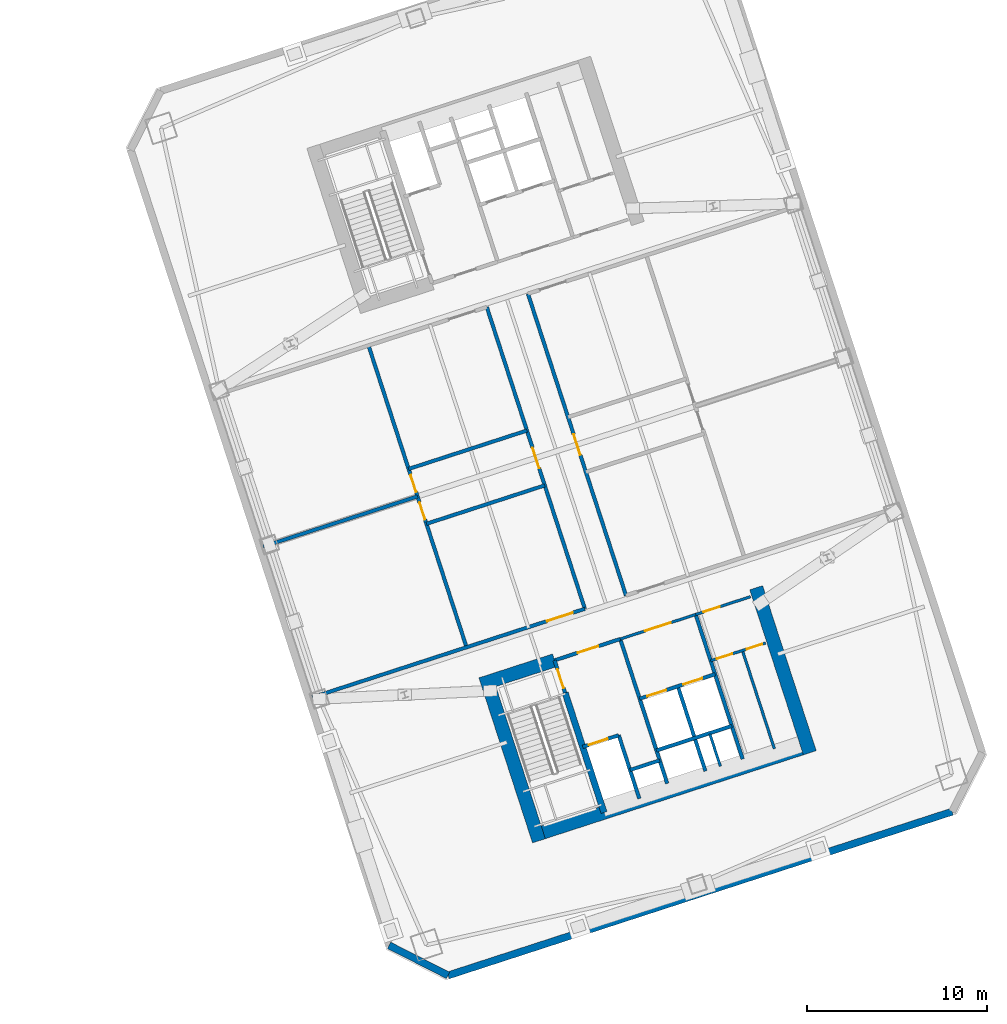
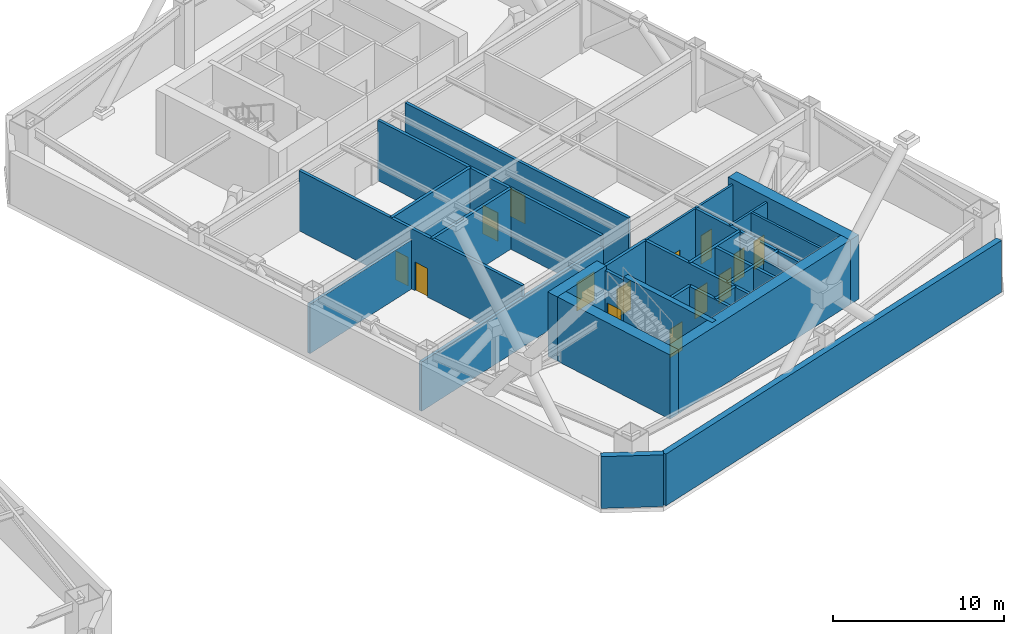
# One storey, part 15 of 19: 29 walls, 14 doors, 14 openings.
"""IFC4 building model written with IfcOpenShell, lengths in metres."""

from ifc_helpers import new_model, si_unit, direction, frame, frame_2d, origin, place, context, subcontext, project, spatial, rectangle, extrude, material, layer, layer_set, type_object, element, fill, save


model = new_model("IFC4")

# Units and contexts
model_context = context("Model", 3, precision=1e-05, world=origin(), true_north=direction((0.0, 1.0)))
body_context = subcontext(model_context, "Body", "Model", "MODEL_VIEW")
ifc_project = project(units=[si_unit("LENGTHUNIT", "METRE"), si_unit("AREAUNIT", "SQUARE_METRE"), si_unit("VOLUMEUNIT", "CUBIC_METRE"), si_unit("PLANEANGLEUNIT", "RADIAN"), si_unit("MASSUNIT", "GRAM", prefix="KILO")], contexts=[model_context])

# Site, building, storey
site_placement = place(None, origin())
site = spatial("IfcSite", under=ifc_project, at=site_placement, CompositionType="ELEMENT")
building_placement = place(site_placement, origin())
building = spatial("IfcBuilding", under=site, at=building_placement, Name="Qiaolan Cultural Towers", CompositionType="ELEMENT")
storey_placement = place(building_placement, frame((0.0, 0.0, 92.0)))
storey = spatial("IfcBuildingStorey", under=building, at=storey_placement, Name="L23", CompositionType="ELEMENT", Elevation=92.0)

# Walls
ifc_material_1 = material(Name="Concrete C50", Category="concrete")
ifc_layer_1 = layer(ifc_material_1, 0.35009765625)
ifc_layer_set_1 = layer_set([ifc_layer_1], Name="Concrete C50")
wall_type_1 = type_object("IfcWallType", Name="WL-CORE-350", PredefinedType="SHEAR", material=ifc_layer_set_1)
wall_1_placement = place(storey_placement, frame((90.486328125, 20.59423828125, 0.0), z_axis=(0.0, 0.0, 1.0), x_axis=(0.309020428229, -0.951055400562, 0.0)))
element("IfcWall", 1, at=wall_1_placement, inside=storey, type_object=wall_type_1, Name="L23 T2-CS Stair Core Dividing Web", PredefinedType="SHEAR", context=body_context, shape_type="SweptSolid", body=[
    extrude(rectangle(XDim=6.97998046875, YDim=0.35009765625, at=frame_2d((3.489990234375, 0.0))), origin(), (0.0, 0.0, 1.0), 4.60009765625),
])
ifc_material_2 = material(Name="Concrete C60", Category="concrete")
ifc_layer_2 = layer(ifc_material_2, 0.75)
ifc_layer_set_2 = layer_set([ifc_layer_2], Name="Concrete C60")
wall_type_2 = type_object("IfcWallType", Name="WL-CORE-750", PredefinedType="SHEAR", material=ifc_layer_set_2)
wall_2_placement = place(storey_placement, frame((88.55859375, 12.628662109375, 0.0), z_axis=(0.0, 0.0, 1.0), x_axis=(0.951056072937, 0.309018358888, 0.0)))
element("IfcWall", 2, at=wall_2_placement, inside=storey, type_object=wall_type_2, Name="L23 T2-CS Outer Core Shear Wall", PredefinedType="SHEAR", context=body_context, shape_type="SweptSolid", body=[
    extrude(rectangle(XDim=16.550048828125, YDim=0.75, at=frame_2d((8.27490234375, 0.0))), origin(), (0.0, 0.0, 1.0), 4.60009765625),
])
wall_3_placement = place(storey_placement, frame((86.05517578125, 21.54638671875, 0.0), z_axis=(0.0, 0.0, 1.0), x_axis=(0.309023585745, -0.951054374604, 0.0)))
element("IfcWall", 3, at=wall_3_placement, inside=storey, type_object=wall_type_2, Name="L23 T2-CS West Core Shear Wall", PredefinedType="SHEAR", context=body_context, shape_type="SweptSolid", body=[
    extrude(rectangle(XDim=9.6298828125, YDim=0.75, at=frame_2d((4.81494140625, 0.0))), origin(), (0.0, 0.0, 1.0), 4.60009765625),
])
wall_4_placement = place(storey_placement, frame((101.08203125, 26.428955078125, 0.0), z_axis=(0.0, 0.0, 1.0), x_axis=(0.309016134813, -0.951056795583, 0.0)))
element("IfcWall", 4, at=wall_4_placement, inside=storey, type_object=wall_type_2, Name="L23 T2-CS East Core Shear Wall", PredefinedType="SHEAR", context=body_context, shape_type="SweptSolid", body=[
    extrude(rectangle(XDim=9.630126953125, YDim=0.75, at=frame_2d((4.81494140625, 0.0))), origin(), (0.0, 0.0, 1.0), 4.60009765625),
])
wall_5_placement = place(storey_placement, frame((85.814453125, 21.073974609375, 0.0), z_axis=(0.0, 0.0, 1.0), x_axis=(0.95106580992, 0.308988390074, 0.0)))
element("IfcWall", 5, at=wall_5_placement, inside=storey, type_object=wall_type_2, Name="L23 T2-CS Stair Front Shear Wall", PredefinedType="SHEAR", context=body_context, shape_type="SweptSolid", body=[
    extrude(rectangle(XDim=4.295166015625, YDim=0.75, at=frame_2d((2.1474609375, 0.0))), origin(), (0.0, 0.0, 1.0), 4.60009765625),
])
ifc_material_3 = material(Name="Precast Concrete C50 Honed Stone Pier", Category="masonry")
ifc_layer_3 = layer(ifc_material_3, 0.39990234375)
ifc_layer_set_3 = layer_set([ifc_layer_3], Name="Precast Concrete C50 Honed Stone Pier")
wall_type_3 = type_object("IfcWallType", Name="WL-EXT-PIER-400", PredefinedType="SOLIDWALL", material=ifc_layer_set_3)
wall_6_placement = place(storey_placement, frame((111.953125, 14.00537109375, 0.0), z_axis=(0.0, 0.0, 1.0), x_axis=(-0.95105505922, -0.309021478754, 0.0)))
element("IfcWall", 6, at=wall_6_placement, inside=storey, type_object=wall_type_3, Name="L23 East Tower Precast Pier Facade Wall F7", PredefinedType="SOLIDWALL", context=body_context, shape_type="SweptSolid", body=[
    extrude(rectangle(XDim=29.39990234375, YDim=0.39990234375, at=frame_2d((14.699951171875, 0.0))), origin(), (0.0, 0.0, 1.0), 3.699951171875),
])
wall_7_placement = place(storey_placement, frame((83.9921875, 4.920166015625, 0.0), z_axis=(0.0, 0.0, 1.0), x_axis=(-0.891001999643, 0.45399937955, 0.0)))
element("IfcWall", 7, at=wall_7_placement, inside=storey, type_object=wall_type_3, Name="L23 East Tower Precast Pier Facade Wall F8", PredefinedType="SOLIDWALL", context=body_context, shape_type="SweptSolid", body=[
    extrude(rectangle(XDim=3.67724609375, YDim=0.39990234375, at=frame_2d((1.838623046875, 0.0))), origin(), (0.0, 0.0, 1.0), 3.699951171875),
])

# Wall, opening, door
ifc_material_4 = material(Name="Concrete C35 Fire Wall", Category="concrete")
ifc_layer_4 = layer(ifc_material_4, 0.199951171875)
ifc_layer_set_4 = layer_set([ifc_layer_4], Name="Concrete C35 Fire Wall")
wall_type_4 = type_object("IfcWallType", Name="WL-FIRE-200", PredefinedType="PARTITIONING", material=ifc_layer_set_4)
wall_8_placement = place(storey_placement, frame((89.8994140625, 22.401123046875, 0.0), z_axis=(0.0, 0.0, 1.0), x_axis=(0.308932062672, -0.951084108086, 0.0)))
wall_8 = element("IfcWall", 8, at=wall_8_placement, inside=storey, type_object=wall_type_4, Name="L23 T2-CS Smokeproof Stair Entry Wall", PredefinedType="PARTITIONING", context=body_context, shape_type="SweptSolid", body=[
    extrude(rectangle(XDim=1.89990234375, YDim=0.199951171875, at=frame_2d((0.949951171875, 0.0))), origin(), (0.0, 0.0, 1.0), 4.304931640625),
])
opening_1_placement = place(wall_8_placement, frame((0.52001953125, 0.0, 0.0)))
opening_1 = element("IfcOpeningElement", 9, at=opening_1_placement, cuts=wall_8, Name="Opening FD-04", PredefinedType="OPENING", context=body_context, shape_type="SweptSolid", body=[
    extrude(rectangle(XDim=1.10009765625, YDim=2.050048828125, at=frame_2d((0.550048828125, 1.02490234375))), frame((0.0, 0.10986328125, 0.0), z_axis=(0.0, -1.0, 0.0), x_axis=(1.0, 0.0, 0.0)), (0.0, 0.0, 1.0), 0.219970703125),
])
ifc_material_5 = material(Name="Galvanized Steel Command Fire Door", Category="steel")
door_type_1 = type_object("IfcDoorType", Name="DR-FD90-1100", OperationType="NOTDEFINED", PredefinedType="DOOR", material=ifc_material_5)
door_1_placement = place(opening_1_placement, origin())
door_1 = element("IfcDoor", 10, at=door_1_placement, inside=storey, type_object=door_type_1, Name="L23 ST-E1 Smokeproof Stair Fire Door", OperationType="SINGLE_SWING_LEFT", OverallHeight=2.050048828125, OverallWidth=1.10009765625, PredefinedType="DOOR", context=body_context, shape_type="SweptSolid", body=[
    extrude(rectangle(XDim=1.10009765625, YDim=2.050048828125, at=frame_2d((0.550048828125, 1.02490234375))), frame((0.0, 0.02490234375, 0.0), z_axis=(0.0, -1.0, 0.0), x_axis=(1.0, 0.0, 0.0)), (0.0, 0.0, 1.0), 0.050048828125),
])
fill(opening_1, door_1)

# Wall
wall_9_placement = place(storey_placement, frame((93.541748046875, 23.584716796875, 0.0), z_axis=(0.0, 0.0, 1.0), x_axis=(0.309042196757, -0.951048327176, 0.0)))
element("IfcWall", 11, at=wall_9_placement, inside=storey, type_object=wall_type_4, Name="L23 T2-CS Firefighting Zone Wall", PredefinedType="PARTITIONING", context=body_context, shape_type="SweptSolid", body=[
    extrude(rectangle(XDim=8.429931640625, YDim=0.199951171875, at=frame_2d((4.21484375, 0.0))), origin(), (0.0, 0.0, 1.0), 4.304931640625),
])

# Wall, opening, door
wall_10_placement = place(storey_placement, frame((89.8994140625, 22.401123046875, 0.0), z_axis=(0.0, 0.0, 1.0), x_axis=(0.951046716504, 0.309047153403, 0.0)))
wall_10 = element("IfcWall", 12, at=wall_10_placement, inside=storey, type_object=wall_type_4, Name="L23 T2-CS Firefighting Lobby Front Wall", PredefinedType="PARTITIONING", context=body_context, shape_type="SweptSolid", body=[
    extrude(rectangle(XDim=3.829833984375, YDim=0.199951171875, at=frame_2d((1.9150390625, 0.0))), origin(), (0.0, 0.0, 1.0), 4.304931640625),
])
opening_2_placement = place(wall_10_placement, frame((1.35009765625, 0.0, 0.0)))
opening_2 = element("IfcOpeningElement", 13, at=opening_2_placement, cuts=wall_10, Name="Opening FD-03", PredefinedType="OPENING", context=body_context, shape_type="SweptSolid", body=[
    extrude(rectangle(XDim=1.199951171875, YDim=2.050048828125, at=frame_2d((0.60009765625, 1.02490234375))), frame((0.0, 0.10986328125, 0.0), z_axis=(0.0, -1.0, 0.0), x_axis=(1.0, 0.0, 0.0)), (0.0, 0.0, 1.0), 0.219970703125),
])
ifc_material_6 = material(Name="Galvanized Steel Smokeproof Lobby Fire Door", Category="steel")
door_type_2 = type_object("IfcDoorType", Name="DR-FD90-1200", OperationType="NOTDEFINED", PredefinedType="DOOR", material=ifc_material_6)
door_2_placement = place(opening_2_placement, origin())
door_2 = element("IfcDoor", 14, at=door_2_placement, inside=storey, type_object=door_type_2, Name="L23 FFL-E1 Firefighting Lobby Fire Door", OperationType="SINGLE_SWING_LEFT", OverallHeight=2.050048828125, OverallWidth=1.199951171875, PredefinedType="DOOR", context=body_context, shape_type="SweptSolid", body=[
    extrude(rectangle(XDim=1.199951171875, YDim=2.050048828125, at=frame_2d((0.60009765625, 1.02490234375))), frame((0.0, 0.02490234375, 0.0), z_axis=(0.0, -1.0, 0.0), x_axis=(1.0, 0.0, 0.0)), (0.0, 0.0, 1.0), 0.050048828125),
])
fill(opening_2, door_2)

wall_11_placement = place(storey_placement, frame((91.459716796875, 17.598388671875, 0.0), z_axis=(0.0, 0.0, 1.0), x_axis=(0.951062257173, 0.308999325213, 0.0)))
wall_11 = element("IfcWall", 15, at=wall_11_placement, inside=storey, type_object=wall_type_4, Name="L23 T2-CS Firefighting Shaft Front Wall", PredefinedType="PARTITIONING", context=body_context, shape_type="SweptSolid", body=[
    extrude(rectangle(XDim=2.10009765625, YDim=0.199951171875, at=frame_2d((1.050048828125, 0.0))), origin(), (0.0, 0.0, 1.0), 4.304931640625),
])
opening_3_placement = place(wall_11_placement, frame((0.35009765625, 0.0, 0.0)))
opening_3 = element("IfcOpeningElement", 16, at=opening_3_placement, cuts=wall_11, Name="Opening LD-01", PredefinedType="OPENING", context=body_context, shape_type="SweptSolid", body=[
    extrude(rectangle(XDim=1.10009765625, YDim=2.050048828125, at=frame_2d((0.550048828125, 1.02490234375))), frame((0.0, 0.10986328125, 0.0), z_axis=(0.0, -1.0, 0.0), x_axis=(1.0, 0.0, 0.0)), (0.0, 0.0, 1.0), 0.219970703125),
])
ifc_material_7 = material(Name="Brushed Stainless Steel S30408 Centre-Parting Lift Landing Door", Category="steel")
door_type_3 = type_object("IfcDoorType", Name="DR-LIFT-1100", OperationType="NOTDEFINED", PredefinedType="DOOR", material=ifc_material_7)
door_3_placement = place(opening_3_placement, origin())
door_3 = element("IfcDoor", 17, at=door_3_placement, inside=storey, type_object=door_type_3, Name="L23 FFL-E1 Firefighting Lift Landing Door", OperationType="DOUBLE_DOOR_SLIDING", OverallHeight=2.050048828125, OverallWidth=1.10009765625, PredefinedType="DOOR", context=body_context, shape_type="SweptSolid", body=[
    extrude(rectangle(XDim=1.10009765625, YDim=2.050048828125, at=frame_2d((0.550048828125, 1.02490234375))), frame((0.0, 0.02490234375, 0.0), z_axis=(0.0, -1.0, 0.0), x_axis=(1.0, 0.0, 0.0)), (0.0, 0.0, 1.0), 0.050048828125),
])
fill(opening_3, door_3)

# Walls
wall_12_placement = place(storey_placement, frame((93.45703125, 18.247314453125, 0.0), z_axis=(0.0, 0.0, 1.0), x_axis=(0.3089935693, -0.951064127245, 0.0)))
element("IfcWall", 18, at=wall_12_placement, inside=storey, type_object=wall_type_4, Name="L23 T2-CS Firefighting Hoistway East Wall", PredefinedType="PARTITIONING", context=body_context, shape_type="SweptSolid", body=[
    extrude(rectangle(XDim=3.7001953125, YDim=0.199951171875, at=frame_2d((1.85009765625, 0.0))), origin(), (0.0, 0.0, 1.0), 4.304931640625),
])
wall_13_placement = place(storey_placement, frame((94.08447265625, 16.316650390625, 0.0), z_axis=(0.0, 0.0, 1.0), x_axis=(0.951041328149, 0.309063734775, 0.0)))
element("IfcWall", 19, at=wall_13_placement, inside=storey, type_object=wall_type_4, Name="L23 T2-CS Pressurization Shaft Front Wall", PredefinedType="PARTITIONING", context=body_context, shape_type="SweptSolid", body=[
    extrude(rectangle(XDim=1.72998046875, YDim=0.199951171875, at=frame_2d((0.864990234375, 0.0))), origin(), (0.0, 0.0, 1.0), 4.304931640625),
])
wall_14_placement = place(storey_placement, frame((97.7265625, 24.9443359375, 0.0), z_axis=(0.0, 0.0, 1.0), x_axis=(0.309016001439, -0.951056838919, 0.0)))
element("IfcWall", 20, at=wall_14_placement, inside=storey, type_object=wall_type_4, Name="L23 T2-CS Lift Core East Wall", PredefinedType="PARTITIONING", context=body_context, shape_type="SweptSolid", body=[
    extrude(rectangle(XDim=8.429931640625, YDim=0.199951171875, at=frame_2d((4.21484375, 0.0))), origin(), (0.0, 0.0, 1.0), 4.304931640625),
])

# Wall, openings, doors
wall_15_placement = place(storey_placement, frame((94.6171875, 20.275146484375, 0.0), z_axis=(0.0, 0.0, 1.0), x_axis=(0.951058531764, 0.30901079133, 0.0)))
wall_15 = element("IfcWall", 21, at=wall_15_placement, inside=storey, type_object=wall_type_4, Name="L23 T2-CS Passenger Lift Shaft Front Wall", PredefinedType="PARTITIONING", context=body_context, shape_type="SweptSolid", body=[
    extrude(rectangle(XDim=4.39990234375, YDim=0.199951171875, at=frame_2d((2.199951171875, 0.0))), origin(), (0.0, 0.0, 1.0), 4.304931640625),
])
opening_4_placement = place(wall_15_placement, frame((0.449951171875, 0.0, 0.0)))
opening_4 = element("IfcOpeningElement", 22, at=opening_4_placement, cuts=wall_15, Name="Opening LD-01", PredefinedType="OPENING", context=body_context, shape_type="SweptSolid", body=[
    extrude(rectangle(XDim=1.10009765625, YDim=2.050048828125, at=frame_2d((0.550048828125, 1.02490234375))), frame((0.0, 0.10986328125, 0.0), z_axis=(0.0, -1.0, 0.0), x_axis=(1.0, 0.0, 0.0)), (0.0, 0.0, 1.0), 0.219970703125),
])
opening_5_placement = place(wall_15_placement, frame((2.550048828125, 0.0, 0.0)))
opening_5 = element("IfcOpeningElement", 23, at=opening_5_placement, cuts=wall_15, Name="Opening LD-01", PredefinedType="OPENING", context=body_context, shape_type="SweptSolid", body=[
    extrude(rectangle(XDim=1.10009765625, YDim=2.050048828125, at=frame_2d((0.550048828125, 1.02490234375))), frame((0.0, 0.10986328125, 0.0), z_axis=(0.0, -1.0, 0.0), x_axis=(1.0, 0.0, 0.0)), (0.0, 0.0, 1.0), 0.219970703125),
])
door_4_placement = place(opening_4_placement, origin())
door_4 = element("IfcDoor", 24, at=door_4_placement, inside=storey, type_object=door_type_3, Name="L23 Passenger Lift 1 Landing Door", OperationType="DOUBLE_DOOR_SLIDING", OverallHeight=2.050048828125, OverallWidth=1.10009765625, PredefinedType="DOOR", context=body_context, shape_type="SweptSolid", body=[
    extrude(rectangle(XDim=1.10009765625, YDim=2.050048828125, at=frame_2d((0.550048828125, 1.02490234375))), frame((0.0, 0.02490234375, 0.0), z_axis=(0.0, -1.0, 0.0), x_axis=(1.0, 0.0, 0.0)), (0.0, 0.0, 1.0), 0.050048828125),
])
fill(opening_4, door_4)
door_5_placement = place(opening_5_placement, origin())
door_5 = element("IfcDoor", 25, at=door_5_placement, inside=storey, type_object=door_type_3, Name="L23 Passenger Lift 2 Landing Door", OperationType="DOUBLE_DOOR_SLIDING", OverallHeight=2.050048828125, OverallWidth=1.10009765625, PredefinedType="DOOR", context=body_context, shape_type="SweptSolid", body=[
    extrude(rectangle(XDim=1.10009765625, YDim=2.050048828125, at=frame_2d((0.550048828125, 1.02490234375))), frame((0.0, 0.02490234375, 0.0), z_axis=(0.0, -1.0, 0.0), x_axis=(1.0, 0.0, 0.0)), (0.0, 0.0, 1.0), 0.050048828125),
])
fill(opening_5, door_5)

# Walls
wall_16_placement = place(storey_placement, frame((96.738037109375, 20.964111328125, 0.0), z_axis=(0.0, 0.0, 1.0), x_axis=(0.309042578481, -0.951048203135, 0.0)))
element("IfcWall", 26, at=wall_16_placement, inside=storey, type_object=wall_type_4, Name="L23 T2-CS Lift Shaft Divider Wall", PredefinedType="PARTITIONING", context=body_context, shape_type="SweptSolid", body=[
    extrude(rectangle(XDim=4.9501953125, YDim=0.199951171875, at=frame_2d((2.47509765625, 0.0))), origin(), (0.0, 0.0, 1.0), 4.304931640625),
])
wall_17_placement = place(storey_placement, frame((95.550537109375, 17.40283203125, 0.0), z_axis=(0.0, 0.0, 1.0), x_axis=(0.951058531764, 0.30901079133, 0.0)))
element("IfcWall", 27, at=wall_17_placement, inside=storey, type_object=wall_type_4, Name="L23 T2-CS Passenger Lift Shaft Back Wall", PredefinedType="PARTITIONING", context=body_context, shape_type="SweptSolid", body=[
    extrude(rectangle(XDim=4.39990234375, YDim=0.199951171875, at=frame_2d((2.199951171875, 0.0))), origin(), (0.0, 0.0, 1.0), 4.304931640625),
])

# Wall, opening, door
wall_18_placement = place(storey_placement, frame((76.456298828125, 20.346435546875, 0.0), z_axis=(0.0, 0.0, 1.0), x_axis=(0.951057423626, 0.309014201884, 0.0)))
wall_18 = element("IfcWall", 28, at=wall_18_placement, inside=storey, type_object=wall_type_4, Name="L23 T2 Fire Rated Plant/Refuge Wall SBW", PredefinedType="PARTITIONING", context=body_context, shape_type="SweptSolid", body=[
    extrude(rectangle(XDim=15.89990234375, YDim=0.199951171875, at=frame_2d((7.949951171875, 0.0))), origin(), (0.0, 0.0, 1.0), 3.514892578125),
])
opening_6_placement = place(wall_18_placement, frame((13.699951171875, 0.0, 0.0)))
opening_6 = element("IfcOpeningElement", 29, at=opening_6_placement, cuts=wall_18, Name="Opening FD-02", PredefinedType="OPENING", context=body_context, shape_type="SweptSolid", body=[
    extrude(rectangle(XDim=1.5, YDim=2.050048828125, at=frame_2d((0.75, 1.02490234375))), frame((0.0, 0.10986328125, 0.0), z_axis=(0.0, -1.0, 0.0), x_axis=(1.0, 0.0, 0.0)), (0.0, 0.0, 1.0), 0.219970703125),
])
ifc_material_8 = material(Name="Galvanized Steel Double Fire Door", Category="steel")
door_type_4 = type_object("IfcDoorType", Name="DR-FD90-1500", OperationType="NOTDEFINED", PredefinedType="DOOR", material=ifc_material_8)
door_6_placement = place(opening_6_placement, origin())
door_6 = element("IfcDoor", 30, at=door_6_placement, inside=storey, type_object=door_type_4, Name="L23 T2 West South Refuge Fire Door", OperationType="SINGLE_SWING_LEFT", OverallHeight=2.050048828125, OverallWidth=1.5, PredefinedType="DOOR", context=body_context, shape_type="SweptSolid", body=[
    extrude(rectangle(XDim=1.5, YDim=2.050048828125, at=frame_2d((0.75, 1.02490234375))), frame((0.0, 0.02490234375, 0.0), z_axis=(0.0, -1.0, 0.0), x_axis=(1.0, 0.0, 0.0)), (0.0, 0.0, 1.0), 0.050048828125),
])
fill(opening_6, door_6)

wall_19_placement = place(storey_placement, frame((91.578125, 25.259765625, 0.0), z_axis=(0.0, 0.0, 1.0), x_axis=(-0.30901518495, 0.951057104211, 0.0)))
wall_19 = element("IfcWall", 31, at=wall_19_placement, inside=storey, type_object=wall_type_4, Name="L23 T2 Fire Rated Plant/Refuge Wall CL", PredefinedType="PARTITIONING", context=body_context, shape_type="SweptSolid", body=[
    extrude(rectangle(XDim=17.60009765625, YDim=0.199951171875, at=frame_2d((8.800048828125, 0.0))), origin(), (0.0, 0.0, 1.0), 4.304931640625),
])
opening_7_placement = place(wall_19_placement, frame((8.199951171875, 0.0, 0.0)))
opening_7 = element("IfcOpeningElement", 32, at=opening_7_placement, cuts=wall_19, Name="Opening FD-03", PredefinedType="OPENING", context=body_context, shape_type="SweptSolid", body=[
    extrude(rectangle(XDim=1.199951171875, YDim=2.050048828125, at=frame_2d((0.60009765625, 1.02490234375))), frame((0.0, 0.10986328125, 0.0), z_axis=(0.0, -1.0, 0.0), x_axis=(1.0, 0.0, 0.0)), (0.0, 0.0, 1.0), 0.219970703125),
])
door_7_placement = place(opening_7_placement, origin())
door_7 = element("IfcDoor", 33, at=door_7_placement, inside=storey, type_object=door_type_2, Name="L23 T2 West Plant Passage Door", OperationType="SINGLE_SWING_LEFT", OverallHeight=2.050048828125, OverallWidth=1.199951171875, PredefinedType="DOOR", context=body_context, shape_type="SweptSolid", body=[
    extrude(rectangle(XDim=1.199951171875, YDim=2.050048828125, at=frame_2d((0.60009765625, 1.02490234375))), frame((0.0, 0.02490234375, 0.0), z_axis=(0.0, -1.0, 0.0), x_axis=(1.0, 0.0, 0.0)), (0.0, 0.0, 1.0), 0.050048828125),
])
fill(opening_7, door_7)

wall_20_placement = place(storey_placement, frame((93.860595703125, 26.00146484375, 0.0), z_axis=(0.0, 0.0, 1.0), x_axis=(-0.30901518495, 0.951057104211, 0.0)))
wall_20 = element("IfcWall", 34, at=wall_20_placement, inside=storey, type_object=wall_type_4, Name="L23 T2 Fire Rated Plant/Refuge Wall CR", PredefinedType="PARTITIONING", context=body_context, shape_type="SweptSolid", body=[
    extrude(rectangle(XDim=17.60009765625, YDim=0.199951171875, at=frame_2d((8.800048828125, 0.0))), origin(), (0.0, 0.0, 1.0), 4.304931640625),
])
opening_8_placement = place(wall_20_placement, frame((8.199951171875, 0.0, 0.0)))
opening_8 = element("IfcOpeningElement", 35, at=opening_8_placement, cuts=wall_20, Name="Opening FD-03", PredefinedType="OPENING", context=body_context, shape_type="SweptSolid", body=[
    extrude(rectangle(XDim=1.199951171875, YDim=2.050048828125, at=frame_2d((0.60009765625, 1.02490234375))), frame((0.0, 0.10986328125, 0.0), z_axis=(0.0, -1.0, 0.0), x_axis=(1.0, 0.0, 0.0)), (0.0, 0.0, 1.0), 0.219970703125),
])
door_8_placement = place(opening_8_placement, origin())
door_8 = element("IfcDoor", 36, at=door_8_placement, inside=storey, type_object=door_type_2, Name="L23 T2 East Plant Passage Door", OperationType="SINGLE_SWING_RIGHT", OverallHeight=2.050048828125, OverallWidth=1.199951171875, PredefinedType="DOOR", context=body_context, shape_type="SweptSolid", body=[
    extrude(rectangle(XDim=1.199951171875, YDim=2.050048828125, at=frame_2d((0.60009765625, 1.02490234375))), frame((0.0, 0.02490234375, 0.0), z_axis=(0.0, -1.0, 0.0), x_axis=(1.0, 0.0, 0.0)), (0.0, 0.0, 1.0), 0.050048828125),
])
fill(opening_8, door_8)

# Wall, openings, doors
wall_21_placement = place(storey_placement, frame((85.015869140625, 23.127685546875, 0.0), z_axis=(0.0, 0.0, 1.0), x_axis=(-0.309019261708, 0.951055779591, 0.0)))
wall_21 = element("IfcWall", 37, at=wall_21_placement, inside=storey, type_object=wall_type_4, Name="L23 T2 Fire Rated Plant/Refuge Wall WL", PredefinedType="PARTITIONING", context=body_context, shape_type="SweptSolid", body=[
    extrude(rectangle(XDim=17.599853515625, YDim=0.199951171875, at=frame_2d((8.7998046875, 0.0))), origin(), (0.0, 0.0, 1.0), 4.304931640625),
])
opening_9_placement = place(wall_21_placement, frame((7.449951171875, 0.0, 0.0)))
opening_9 = element("IfcOpeningElement", 38, at=opening_9_placement, cuts=wall_21, Name="Opening FD-07", PredefinedType="OPENING", context=body_context, shape_type="SweptSolid", body=[
    extrude(rectangle(XDim=1.0, YDim=2.050048828125, at=frame_2d((0.5, 1.02490234375))), frame((0.0, 0.10986328125, 0.0), z_axis=(0.0, -1.0, 0.0), x_axis=(1.0, 0.0, 0.0)), (0.0, 0.0, 1.0), 0.219970703125),
])
opening_10_placement = place(wall_21_placement, frame((9.050048828125, 0.0, 0.0)))
opening_10 = element("IfcOpeningElement", 39, at=opening_10_placement, cuts=wall_21, Name="Opening FD-07", PredefinedType="OPENING", context=body_context, shape_type="SweptSolid", body=[
    extrude(rectangle(XDim=1.0, YDim=2.050048828125, at=frame_2d((0.5, 1.02490234375))), frame((0.0, 0.10986328125, 0.0), z_axis=(0.0, -1.0, 0.0), x_axis=(1.0, 0.0, 0.0)), (0.0, 0.0, 1.0), 0.219970703125),
])
ifc_material_9 = material(Name="Painted Steel Riser Fire Door", Category="steel")
door_type_5 = type_object("IfcDoorType", Name="DR-FD60-1000", OperationType="NOTDEFINED", PredefinedType="DOOR", material=ifc_material_9)
door_9_placement = place(opening_9_placement, origin())
door_9 = element("IfcDoor", 40, at=door_9_placement, inside=storey, type_object=door_type_5, Name="L23 T2 West Chiller Plant Door", OperationType="SINGLE_SWING_LEFT", OverallHeight=2.050048828125, OverallWidth=1.0, PredefinedType="DOOR", context=body_context, shape_type="SweptSolid", body=[
    extrude(rectangle(XDim=1.0, YDim=2.050048828125, at=frame_2d((0.5, 1.02490234375))), frame((0.0, 0.02490234375, 0.0), z_axis=(0.0, -1.0, 0.0), x_axis=(1.0, 0.0, 0.0)), (0.0, 0.0, 1.0), 0.050048828125),
])
fill(opening_9, door_9)
door_10_placement = place(opening_10_placement, origin())
door_10 = element("IfcDoor", 41, at=door_10_placement, inside=storey, type_object=door_type_5, Name="L23 T2 West Fire Water Pump Plant Door", OperationType="SINGLE_SWING_RIGHT", OverallHeight=2.050048828125, OverallWidth=1.0, PredefinedType="DOOR", context=body_context, shape_type="SweptSolid", body=[
    extrude(rectangle(XDim=1.0, YDim=2.050048828125, at=frame_2d((0.5, 1.02490234375))), frame((0.0, 0.02490234375, 0.0), z_axis=(0.0, -1.0, 0.0), x_axis=(1.0, 0.0, 0.0)), (0.0, 0.0, 1.0), 0.050048828125),
])
fill(opening_10, door_10)

# Walls
wall_22_placement = place(storey_placement, frame((73.73681640625, 28.7158203125, 0.0), z_axis=(0.0, 0.0, 1.0), x_axis=(0.951054001411, 0.309024734286, 0.0)))
element("IfcWall", 42, at=wall_22_placement, inside=storey, type_object=wall_type_4, Name="L23 T2 Fire Rated Plant/Refuge Wall WMID", PredefinedType="PARTITIONING", context=body_context, shape_type="SweptSolid", body=[
    extrude(rectangle(XDim=9.0, YDim=0.199951171875, at=frame_2d((4.5, 0.0))), origin(), (0.0, 0.0, 1.0), 3.514892578125),
])
wall_23_placement = place(storey_placement, frame((82.790771484375, 29.975341796875, 0.0), z_axis=(0.0, 0.0, 1.0), x_axis=(0.951065265554, 0.308990065628, 0.0)))
element("IfcWall", 43, at=wall_23_placement, inside=storey, type_object=wall_type_4, Name="L23 T2 Fire Rated Plant/Refuge Wall SVS-WL", PredefinedType="PARTITIONING", context=body_context, shape_type="SweptSolid", body=[
    extrude(rectangle(XDim=6.900146484375, YDim=0.199951171875, at=frame_2d((3.4501953125, 0.0))), origin(), (0.0, 0.0, 1.0), 4.304931640625),
])
wall_24_placement = place(storey_placement, frame((81.802001953125, 33.0185546875, 0.0), z_axis=(0.0, 0.0, 1.0), x_axis=(0.951051488548, 0.309032467762, 0.0)))
element("IfcWall", 44, at=wall_24_placement, inside=storey, type_object=wall_type_4, Name="L23 T2 Fire Rated Plant/Refuge Wall SVS-NL", PredefinedType="PARTITIONING", context=body_context, shape_type="SweptSolid", body=[
    extrude(rectangle(XDim=6.89990234375, YDim=0.199951171875, at=frame_2d((3.449951171875, 0.0))), origin(), (0.0, 0.0, 1.0), 4.304931640625),
])

# Wall, opening, door
ifc_material_10 = material(Name="Autoclaved Aerated Concrete Block B06", Category="concrete")
ifc_layer_5 = layer(ifc_material_10, 0.14990234375)
ifc_layer_set_5 = layer_set([ifc_layer_5], Name="Autoclaved Aerated Concrete Block B06")
wall_type_5 = type_object("IfcWallType", Name="WL-PART-150", PredefinedType="PARTITIONING", material=ifc_layer_set_5)
wall_25_placement = place(storey_placement, frame((93.541748046875, 23.584716796875, 0.0), z_axis=(0.0, 0.0, 1.0), x_axis=(0.951063829732, 0.308994485023, 0.0)))
wall_25 = element("IfcWall", 45, at=wall_25_placement, inside=storey, type_object=wall_type_5, Name="L23 T2-CS Passenger Lift Lobby Front Wall", PredefinedType="PARTITIONING", context=body_context, shape_type="SweptSolid", body=[
    extrude(rectangle(XDim=4.400146484375, YDim=0.14990234375, at=frame_2d((2.2001953125, 0.0))), origin(), (0.0, 0.0, 1.0), 4.304931640625),
])
opening_11_placement = place(wall_25_placement, frame((1.449951171875, 0.0, 0.0)))
opening_11 = element("IfcOpeningElement", 46, at=opening_11_placement, cuts=wall_25, Name="Opening FD-05", PredefinedType="OPENING", context=body_context, shape_type="SweptSolid", body=[
    extrude(rectangle(XDim=1.5, YDim=2.050048828125, at=frame_2d((0.75, 1.02490234375))), frame((0.0, 0.0849609375, 0.0), z_axis=(0.0, -1.0, 0.0), x_axis=(1.0, 0.0, 0.0)), (0.0, 0.0, 1.0), 0.169921875),
])
ifc_material_11 = material(Name="Painted Steel Lift Lobby Fire Door", Category="steel")
door_type_6 = type_object("IfcDoorType", Name="DR-FD60-1500", OperationType="NOTDEFINED", PredefinedType="DOOR", material=ifc_material_11)
door_11_placement = place(opening_11_placement, origin())
door_11 = element("IfcDoor", 47, at=door_11_placement, inside=storey, type_object=door_type_6, Name="L23 Passenger Lift Lobby Entrance", OperationType="SINGLE_SWING_LEFT", OverallHeight=2.050048828125, OverallWidth=1.5, PredefinedType="DOOR", context=body_context, shape_type="SweptSolid", body=[
    extrude(rectangle(XDim=1.5, YDim=2.050048828125, at=frame_2d((0.75, 1.02490234375))), frame((0.0, 0.02490234375, 0.0), z_axis=(0.0, -1.0, 0.0), x_axis=(1.0, 0.0, 0.0)), (0.0, 0.0, 1.0), 0.050048828125),
])
fill(opening_11, door_11)

# Wall
wall_26_placement = place(storey_placement, frame((98.51416015625, 18.313232421875, 0.0), z_axis=(0.0, 0.0, 1.0), x_axis=(0.309089008895, -0.951033114345, 0.0)))
element("IfcWall", 48, at=wall_26_placement, inside=storey, type_object=wall_type_5, Name="L23 T2-CS Core Rear Asymmetric Wall", PredefinedType="PARTITIONING", context=body_context, shape_type="SweptSolid", body=[
    extrude(rectangle(XDim=1.8798828125, YDim=0.14990234375, at=frame_2d((0.93994140625, 0.0))), origin(), (0.0, 0.0, 1.0), 4.304931640625),
])

# Wall, opening, door
wall_27_placement = place(storey_placement, frame((97.7265625, 24.9443359375, 0.0), z_axis=(0.0, 0.0, 1.0), x_axis=(0.951036872128, 0.309077446369, 0.0)))
wall_27 = element("IfcWall", 49, at=wall_27_placement, inside=storey, type_object=wall_type_5, Name="L23 T2-CS Sanitary Core Front Wall", PredefinedType="PARTITIONING", context=body_context, shape_type="SweptSolid", body=[
    extrude(rectangle(XDim=3.199951171875, YDim=0.14990234375, at=frame_2d((1.60009765625, 0.0))), origin(), (0.0, 0.0, 1.0), 4.304931640625),
])
opening_12_placement = place(wall_27_placement, frame((0.449951171875, 0.0, 0.0)))
opening_12 = element("IfcOpeningElement", 50, at=opening_12_placement, cuts=wall_27, Name="Opening ID-05", PredefinedType="OPENING", context=body_context, shape_type="SweptSolid", body=[
    extrude(rectangle(XDim=0.949951171875, YDim=2.050048828125, at=frame_2d((0.47509765625, 1.02490234375))), frame((0.0, 0.0849609375, 0.0), z_axis=(0.0, -1.0, 0.0), x_axis=(1.0, 0.0, 0.0)), (0.0, 0.0, 1.0), 0.169921875),
])
ifc_material_12 = material(Name="Fire-Rated Laminate Accessible Core Door", Category="timber")
door_type_7 = type_object("IfcDoorType", Name="DR-INT-950", OperationType="NOTDEFINED", PredefinedType="DOOR", material=ifc_material_12)
door_12_placement = place(opening_12_placement, origin())
door_12 = element("IfcDoor", 51, at=door_12_placement, inside=storey, type_object=door_type_7, Name="L23 Sanitary Vestibule Door", OperationType="SINGLE_SWING_LEFT", OverallHeight=2.050048828125, OverallWidth=0.949951171875, PredefinedType="DOOR", context=body_context, shape_type="SweptSolid", body=[
    extrude(rectangle(XDim=0.949951171875, YDim=2.050048828125, at=frame_2d((0.47509765625, 1.02490234375))), frame((0.0, 0.02490234375, 0.0), z_axis=(0.0, -1.0, 0.0), x_axis=(1.0, 0.0, 0.0)), (0.0, 0.0, 1.0), 0.050048828125),
])
fill(opening_12, door_12)

# Wall, openings, doors
wall_28_placement = place(storey_placement, frame((98.560791015625, 22.37646484375, 0.0), z_axis=(0.0, 0.0, 1.0), x_axis=(0.95104415986, 0.309055020985, 0.0)))
wall_28 = element("IfcWall", 52, at=wall_28_placement, inside=storey, type_object=wall_type_5, Name="L23 T2-CS Restroom Vestibule Wall", PredefinedType="PARTITIONING", context=body_context, shape_type="SweptSolid", body=[
    extrude(rectangle(XDim=3.2001953125, YDim=0.14990234375, at=frame_2d((1.60009765625, 0.0))), origin(), (0.0, 0.0, 1.0), 4.304931640625),
])
opening_13_placement = place(wall_28_placement, frame((0.35009765625, 0.0, 0.0)))
opening_13 = element("IfcOpeningElement", 53, at=opening_13_placement, cuts=wall_28, Name="Opening ID-06", PredefinedType="OPENING", context=body_context, shape_type="SweptSolid", body=[
    extrude(rectangle(XDim=0.89990234375, YDim=2.050048828125, at=frame_2d((0.449951171875, 1.02490234375))), frame((0.0, 0.0849609375, 0.0), z_axis=(0.0, -1.0, 0.0), x_axis=(1.0, 0.0, 0.0)), (0.0, 0.0, 1.0), 0.169921875),
])
opening_14_placement = place(wall_28_placement, frame((2.10009765625, 0.0, 0.0)))
opening_14 = element("IfcOpeningElement", 54, at=opening_14_placement, cuts=wall_28, Name="Opening ID-06", PredefinedType="OPENING", context=body_context, shape_type="SweptSolid", body=[
    extrude(rectangle(XDim=0.89990234375, YDim=2.050048828125, at=frame_2d((0.449951171875, 1.02490234375))), frame((0.0, 0.0849609375, 0.0), z_axis=(0.0, -1.0, 0.0), x_axis=(1.0, 0.0, 0.0)), (0.0, 0.0, 1.0), 0.169921875),
])
ifc_material_13 = material(Name="Fire-Rated Laminate Core Service Door", Category="timber")
door_type_8 = type_object("IfcDoorType", Name="DR-INT-900", OperationType="NOTDEFINED", PredefinedType="DOOR", material=ifc_material_13)
door_13_placement = place(opening_13_placement, origin())
door_13 = element("IfcDoor", 55, at=door_13_placement, inside=storey, type_object=door_type_8, Name="L23 Men Restroom Door", OperationType="SINGLE_SWING_LEFT", OverallHeight=2.050048828125, OverallWidth=0.89990234375, PredefinedType="DOOR", context=body_context, shape_type="SweptSolid", body=[
    extrude(rectangle(XDim=0.89990234375, YDim=2.050048828125, at=frame_2d((0.449951171875, 1.02490234375))), frame((0.0, 0.02490234375, 0.0), z_axis=(0.0, -1.0, 0.0), x_axis=(1.0, 0.0, 0.0)), (0.0, 0.0, 1.0), 0.050048828125),
])
fill(opening_13, door_13)
door_14_placement = place(opening_14_placement, origin())
door_14 = element("IfcDoor", 56, at=door_14_placement, inside=storey, type_object=door_type_8, Name="L23 Accessible & Women Restroom Door", OperationType="SINGLE_SWING_RIGHT", OverallHeight=2.050048828125, OverallWidth=0.89990234375, PredefinedType="DOOR", context=body_context, shape_type="SweptSolid", body=[
    extrude(rectangle(XDim=0.89990234375, YDim=2.050048828125, at=frame_2d((0.449951171875, 1.02490234375))), frame((0.0, 0.02490234375, 0.0), z_axis=(0.0, -1.0, 0.0), x_axis=(1.0, 0.0, 0.0)), (0.0, 0.0, 1.0), 0.050048828125),
])
fill(opening_14, door_14)

# Wall
wall_29_placement = place(storey_placement, frame((100.3203125, 22.9482421875, 0.0), z_axis=(0.0, 0.0, 1.0), x_axis=(0.309035009867, -0.951050662518, 0.0)))
element("IfcWall", 57, at=wall_29_placement, inside=storey, type_object=wall_type_5, Name="L23 T2-CS Restroom Divider Wall", PredefinedType="PARTITIONING", context=body_context, shape_type="SweptSolid", body=[
    extrude(rectangle(XDim=5.72998046875, YDim=0.14990234375, at=frame_2d((2.864990234375, 0.0))), origin(), (0.0, 0.0, 1.0), 4.304931640625),
])

save(model, "model.ifc")
